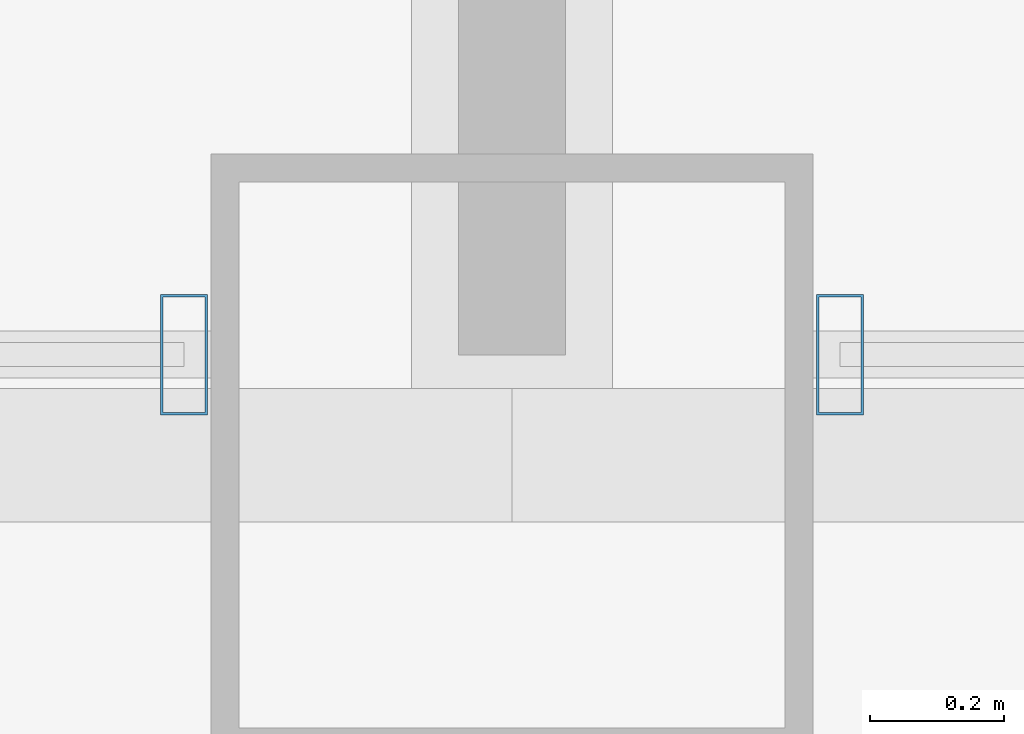
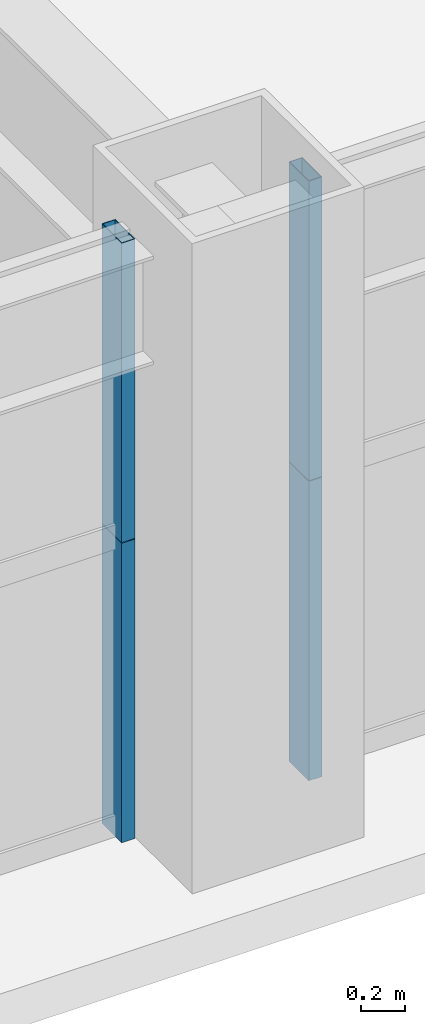
# One storey, part 7 of 43: 4 members, 2 elements without a shape of their own.
"""IFC4 building model written with IfcOpenShell, lengths in metres."""

from ifc_helpers import new_model, si_unit, direction, frame, origin, origin_2d, place, context, subcontext, project, spatial, hollow_rectangle, extrude, source, transform, mapped, material, layer, layer_set, material_profile, profile_set, type_object, element, aggregate, save


model = new_model("IFC4")

# Units and contexts
model_context = context("Model", 3, precision=1e-05, world=origin(), true_north=direction((0.0, 1.0)))
body_context = subcontext(model_context, "Body", "Model", "MODEL_VIEW")
ifc_project = project(units=[si_unit("LENGTHUNIT", "METRE"), si_unit("AREAUNIT", "SQUARE_METRE"), si_unit("VOLUMEUNIT", "CUBIC_METRE"), si_unit("PLANEANGLEUNIT", "RADIAN"), si_unit("MASSUNIT", "GRAM", prefix="KILO"), si_unit("THERMODYNAMICTEMPERATUREUNIT", "KELVIN"), si_unit("POWERUNIT", "WATT")], contexts=[model_context])

# Site, building, storey
site_placement = place(None, origin())
site = spatial("IfcSite", under=ifc_project, at=site_placement, CompositionType="ELEMENT")
building_placement = place(site_placement, origin())
building = spatial("IfcBuilding", under=site, at=building_placement, Name="Yuzanri Waterfront Tower", CompositionType="ELEMENT")
storey_placement = place(building_placement, frame((0.0, 0.0, 37.800048828125)))
storey = spatial("IfcBuildingStorey", under=building, at=storey_placement, Name="L09", CompositionType="ELEMENT", Elevation=37.800048828125)

# Curtain wall, member
ifc_material_1 = material(Name="Anodized Architectural Bronze", Category="metal")
ifc_layer = layer(ifc_material_1, 0.159912109375)
ifc_layer_set = layer_set([ifc_layer], Name="Anodized Architectural Bronze")
curtain_wall_type = type_object("IfcCurtainWallType", Name="Anodized Bronze Hotel Lower-Tier Recessed Unitized Curtain Wall 8100", PredefinedType="NOTDEFINED", material=ifc_layer_set)
curtain_wall_1_placement = place(storey_placement, origin())
curtain_wall_1 = element("IfcCurtainWall", 1, at=curtain_wall_1_placement, inside=storey, type_object=curtain_wall_type, Name="L09 Curtain Wall CW-L09-SL", PredefinedType="NOTDEFINED")
ifc_material_2 = material(Name="Anodized Architectural Bronze", Category="metal")
ifc_material_profile = material_profile(ifc_material_2, hollow_rectangle(XDim=0.070068359375, YDim=0.179931640625, WallThickness=0.00390625, at=origin_2d()), Name="CWM 70x180")
ifc_profile_set = profile_set([ifc_material_profile], Name="Anodized Architectural Bronze")
member_type = type_object("IfcMemberType", Name="Anodized Bronze Standard Curtain-Wall Mullion 70x180", PredefinedType="MULLION", material=ifc_profile_set)
shared_shape_1 = source(origin(), body_context, "Body", "SweptSolid", [
    extrude(hollow_rectangle(XDim=0.070068359375, YDim=0.179931640625, WallThickness=0.00390625, at=origin_2d()), origin(), (0.0, 0.0, 1.0), 1.657958984375),
])
member_1_placement = place(storey_placement, frame((36.510009765625, 0.85009765625, 0.0), z_axis=(0.0, 0.0, 1.0), x_axis=(1.0, 0.0, 0.0)))
member_1 = element("IfcMember", 2, at=member_1_placement, type_object=member_type, Name="CW-L09-SL Lower Mullion 02", PredefinedType="MULLION", context=body_context, shape_type="MappedRepresentation", body=[
    mapped(shared_shape_1, transform((0.0, 0.0, 0.0), scale=1.0)),
])

curtain_wall_2_placement = place(storey_placement, origin())
curtain_wall_2 = element("IfcCurtainWall", 3, at=curtain_wall_2_placement, inside=storey, type_object=curtain_wall_type, Name="L09 Curtain Wall CW-L09-SR", PredefinedType="NOTDEFINED")
member_2_placement = place(storey_placement, frame((37.489990234375, 0.85009765625, 0.0), z_axis=(0.0, 0.0, 1.0), x_axis=(1.0, 0.0, 0.0)))
member_2 = element("IfcMember", 4, at=member_2_placement, type_object=member_type, Name="CW-L09-SR Lower Mullion 00", PredefinedType="MULLION", context=body_context, shape_type="MappedRepresentation", body=[
    mapped(shared_shape_1, transform((0.0, 0.0, 0.0), scale=1.0)),
])

# Member
shared_shape_2 = source(origin(), body_context, "Body", "SweptSolid", [
    extrude(hollow_rectangle(XDim=0.070068359375, YDim=0.179931640625, WallThickness=0.00390625, at=origin_2d()), origin(), (0.0, 0.0, 1.0), 1.658203125),
])
member_3_placement = place(storey_placement, frame((36.510009765625, 0.85009765625, 1.661865234375), z_axis=(0.0, 0.0, 1.0), x_axis=(1.0, 0.0, 0.0)))
member_3 = element("IfcMember", 5, at=member_3_placement, type_object=member_type, Name="CW-L09-SL Upper Mullion 02", PredefinedType="MULLION", context=body_context, shape_type="MappedRepresentation", body=[
    mapped(shared_shape_2, transform((0.0, 0.0, 0.0), scale=1.0)),
])

aggregate(curtain_wall_1, [member_1, member_3])

member_4_placement = place(storey_placement, frame((37.489990234375, 0.85009765625, 1.661865234375), z_axis=(0.0, 0.0, 1.0), x_axis=(1.0, 0.0, 0.0)))
member_4 = element("IfcMember", 6, at=member_4_placement, type_object=member_type, Name="CW-L09-SR Upper Mullion 00", PredefinedType="MULLION", context=body_context, shape_type="MappedRepresentation", body=[
    mapped(shared_shape_2, transform((0.0, 0.0, 0.0), scale=1.0)),
])

aggregate(curtain_wall_2, [member_2, member_4])

save(model, "model.ifc")
